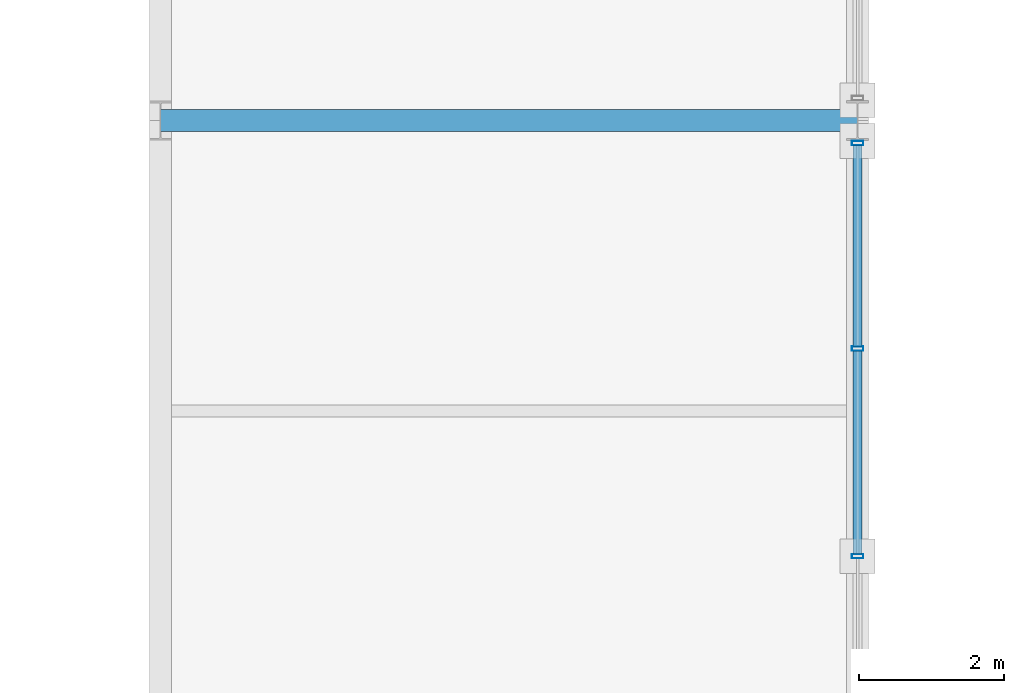
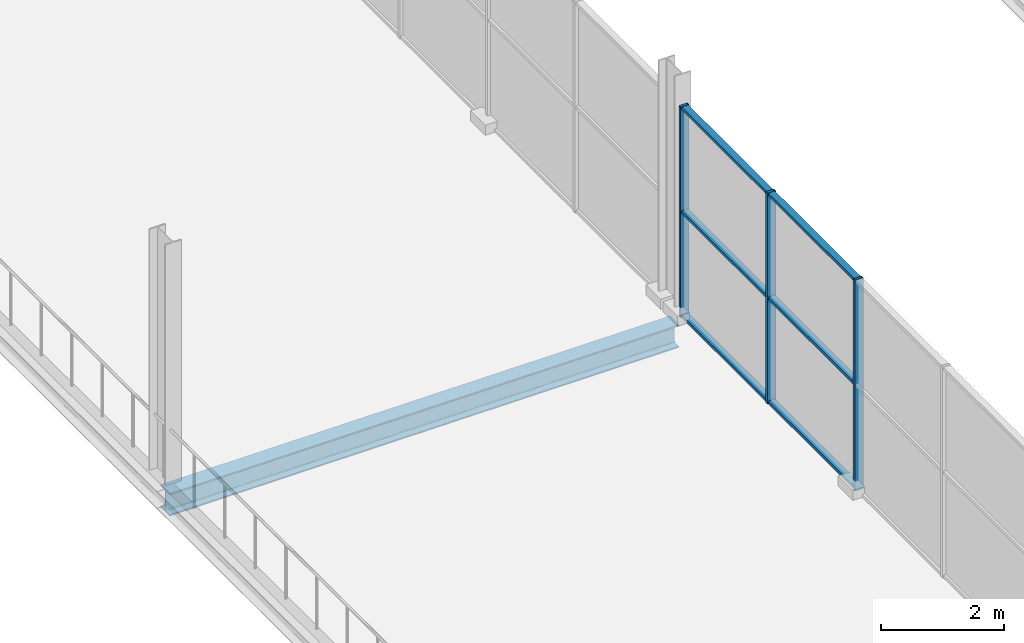
# One storey, part 73 of 159: 9 members, 1 beam, 1 element without a shape of its own.
"""IFC4 building model written with IfcOpenShell, lengths in metres."""

from ifc_helpers import new_model, si_unit, direction, frame, origin, origin_2d, place, context, subcontext, project, spatial, hollow_rectangle, i_section, extrude, material, material_profile, profile_set, type_object, element, aggregate, save


model = new_model("IFC4")

# Units and contexts
model_context = context("Model", 3, precision=1e-05, world=origin(), true_north=direction((0.0, 1.0)))
body_context = subcontext(model_context, "Body", "Model", "MODEL_VIEW")
ifc_project = project(units=[si_unit("LENGTHUNIT", "METRE"), si_unit("AREAUNIT", "SQUARE_METRE"), si_unit("VOLUMEUNIT", "CUBIC_METRE"), si_unit("PLANEANGLEUNIT", "RADIAN"), si_unit("MASSUNIT", "GRAM", prefix="KILO")], contexts=[model_context])

# Site, building, storey
site_placement = place(None, origin())
site = spatial("IfcSite", under=ifc_project, at=site_placement, CompositionType="ELEMENT")
building_placement = place(site_placement, origin())
building = spatial("IfcBuilding", under=site, at=building_placement, Name="Merenkruunu Market Hall", CompositionType="ELEMENT")
storey_placement = place(building_placement, frame((0.0, 0.0, 5.39990234375)))
storey = spatial("IfcBuildingStorey", under=building, at=storey_placement, Name="L01", CompositionType="ELEMENT", Elevation=5.39990234375)

# Curtain wall, members
ifc_material_1 = material(Name="Powder-coated aluminium", Category="aluminium")
curtain_wall_type = type_object("IfcCurtainWallType", Name="Glazed Curtain Wall CW15", PredefinedType="USERDEFINED", material=ifc_material_1)
curtain_wall_placement = place(storey_placement, origin())
curtain_wall = element("IfcCurtainWall", 1, at=curtain_wall_placement, inside=storey, type_object=curtain_wall_type, Name="CW-L01-CWM01-134", ObjectType="GLAZED_FACADE", PredefinedType="USERDEFINED")
ifc_material_profile_1 = material_profile(ifc_material_1, hollow_rectangle(XDim=0.06005859375, YDim=0.159912109375, WallThickness=0.00390625, at=origin_2d()), Name="ALU 60x160x4")
ifc_profile_set_1 = profile_set([ifc_material_profile_1], Name="Powder-coated aluminium")
member_type_1 = type_object("IfcMemberType", Name="Curtain Wall Mullion CWM01", PredefinedType="MULLION", material=ifc_profile_set_1)
member_1_placement = place(storey_placement, frame((57.60009765625, 81.60009765625, 0.0), z_axis=(0.0, 0.0, 1.0), x_axis=(0.0, 1.0, 0.0)))
member_1 = element("IfcMember", 2, at=member_1_placement, type_object=member_type_1, Name="CW15 mullion 3", PredefinedType="MULLION", context=body_context, shape_type="SweptSolid", body=[
    extrude(hollow_rectangle(XDim=0.06005859375, YDim=0.159912109375, WallThickness=0.00390625, at=origin_2d()), origin(), (0.0, 0.0, 1.0), 4.2001953125),
])
member_2_placement = place(storey_placement, frame((57.60009765625, 84.4599609375, 0.0), z_axis=(0.0, 0.0, 1.0), x_axis=(0.0, 1.0, 0.0)))
member_2 = element("IfcMember", 3, at=member_2_placement, type_object=member_type_1, Name="CW15 mullion 4", PredefinedType="MULLION", context=body_context, shape_type="SweptSolid", body=[
    extrude(hollow_rectangle(XDim=0.06005859375, YDim=0.159912109375, WallThickness=0.00390625, at=origin_2d()), origin(), (0.0, 0.0, 1.0), 4.2001953125),
])
member_3_placement = place(storey_placement, frame((57.60009765625, 87.2900390625, 0.0), z_axis=(0.0, 0.0, 1.0), x_axis=(0.0, 1.0, 0.0)))
member_3 = element("IfcMember", 4, at=member_3_placement, type_object=member_type_1, Name="CW15 mullion 5", PredefinedType="MULLION", context=body_context, shape_type="SweptSolid", body=[
    extrude(hollow_rectangle(XDim=0.06005859375, YDim=0.159912109375, WallThickness=0.00390625, at=origin_2d()), origin(), (0.0, 0.0, 1.0), 4.2001953125),
])
ifc_material_profile_2 = material_profile(ifc_material_1, hollow_rectangle(XDim=0.06005859375, YDim=0.125, WallThickness=0.00390625, at=origin_2d()), Name="ALU 60x125x4")
ifc_profile_set_2 = profile_set([ifc_material_profile_2], Name="Powder-coated aluminium")
member_type_2 = type_object("IfcMemberType", Name="Curtain Wall Transom CWT01", PredefinedType="USERDEFINED", material=ifc_profile_set_2)
member_4_placement = place(storey_placement, frame((57.60009765625, 81.6298828125, 0.030029296875), z_axis=(0.0, 1.0, 0.0), x_axis=(0.0, 0.0, 1.0)))
member_4 = element("IfcMember", 5, at=member_4_placement, type_object=member_type_2, Name="CW15 transom 3.1", ObjectType="TRANSOM", PredefinedType="USERDEFINED", context=body_context, shape_type="SweptSolid", body=[
    extrude(hollow_rectangle(XDim=0.06005859375, YDim=0.125, WallThickness=0.00390625, at=origin_2d()), origin(), (0.0, 0.0, 1.0), 2.800048828125),
])
member_5_placement = place(storey_placement, frame((57.60009765625, 81.6298828125, 2.10009765625), z_axis=(0.0, 1.0, 0.0), x_axis=(0.0, 0.0, 1.0)))
member_5 = element("IfcMember", 6, at=member_5_placement, type_object=member_type_2, Name="CW15 transom 3.2", ObjectType="TRANSOM", PredefinedType="USERDEFINED", context=body_context, shape_type="SweptSolid", body=[
    extrude(hollow_rectangle(XDim=0.06005859375, YDim=0.125, WallThickness=0.00390625, at=origin_2d()), origin(), (0.0, 0.0, 1.0), 2.800048828125),
])
member_6_placement = place(storey_placement, frame((57.60009765625, 81.6298828125, 4.170166015625), z_axis=(0.0, 1.0, 0.0), x_axis=(0.0, 0.0, 1.0)))
member_6 = element("IfcMember", 7, at=member_6_placement, type_object=member_type_2, Name="CW15 transom 3.3", ObjectType="TRANSOM", PredefinedType="USERDEFINED", context=body_context, shape_type="SweptSolid", body=[
    extrude(hollow_rectangle(XDim=0.06005859375, YDim=0.125, WallThickness=0.00390625, at=origin_2d()), origin(), (0.0, 0.0, 1.0), 2.800048828125),
])
member_7_placement = place(storey_placement, frame((57.60009765625, 84.489990234375, 0.030029296875), z_axis=(0.0, 1.0, 0.0), x_axis=(0.0, 0.0, 1.0)))
member_7 = element("IfcMember", 8, at=member_7_placement, type_object=member_type_2, Name="CW15 transom 4.1", ObjectType="TRANSOM", PredefinedType="USERDEFINED", context=body_context, shape_type="SweptSolid", body=[
    extrude(hollow_rectangle(XDim=0.06005859375, YDim=0.125, WallThickness=0.00390625, at=origin_2d()), origin(), (0.0, 0.0, 1.0), 2.77001953125),
])
member_8_placement = place(storey_placement, frame((57.60009765625, 84.489990234375, 2.10009765625), z_axis=(0.0, 1.0, 0.0), x_axis=(0.0, 0.0, 1.0)))
member_8 = element("IfcMember", 9, at=member_8_placement, type_object=member_type_2, Name="CW15 transom 4.2", ObjectType="TRANSOM", PredefinedType="USERDEFINED", context=body_context, shape_type="SweptSolid", body=[
    extrude(hollow_rectangle(XDim=0.06005859375, YDim=0.125, WallThickness=0.00390625, at=origin_2d()), origin(), (0.0, 0.0, 1.0), 2.77001953125),
])
member_9_placement = place(storey_placement, frame((57.60009765625, 84.489990234375, 4.170166015625), z_axis=(0.0, 1.0, 0.0), x_axis=(0.0, 0.0, 1.0)))
member_9 = element("IfcMember", 10, at=member_9_placement, type_object=member_type_2, Name="CW15 transom 4.3", ObjectType="TRANSOM", PredefinedType="USERDEFINED", context=body_context, shape_type="SweptSolid", body=[
    extrude(hollow_rectangle(XDim=0.06005859375, YDim=0.125, WallThickness=0.00390625, at=origin_2d()), origin(), (0.0, 0.0, 1.0), 2.77001953125),
])
aggregate(curtain_wall, [member_1, member_2, member_3, member_4, member_5, member_6, member_7, member_8, member_9])

# Beam
ifc_material_2 = material(Name="Steel S355J2", Category="steel")
ifc_material_profile_3 = material_profile(ifc_material_2, i_section(OverallWidth=0.300048828125, OverallDepth=0.449951171875, WebThickness=0.013916015625, FlangeThickness=0.02587890625, FilletRadius=0.027099609375, at=origin_2d()), Name="HEB 450")
ifc_profile_set_3 = profile_set([ifc_material_profile_3], Name="Steel S355J2")
beam_type = type_object("IfcBeamType", Name="Primary Floor Girder B03", PredefinedType="BEAM", material=ifc_profile_set_3)
beam_placement = place(storey_placement, frame((48.0, 87.60009765625, -0.5048828125), z_axis=(1.0, 0.0, 0.0), x_axis=(0.0, 1.0, 0.0)))
element("IfcBeam", 11, at=beam_placement, inside=storey, type_object=beam_type, Name="BM-L01-B03-0537", PredefinedType="BEAM", context=body_context, shape_type="SweptSolid", body=[
    extrude(i_section(OverallWidth=0.300048828125, OverallDepth=0.449951171875, WebThickness=0.013916015625, FlangeThickness=0.02587890625, FilletRadius=0.027099609375, at=origin_2d()), origin(), (0.0, 0.0, 1.0), 9.60009765625),
])

save(model, "model.ifc")
